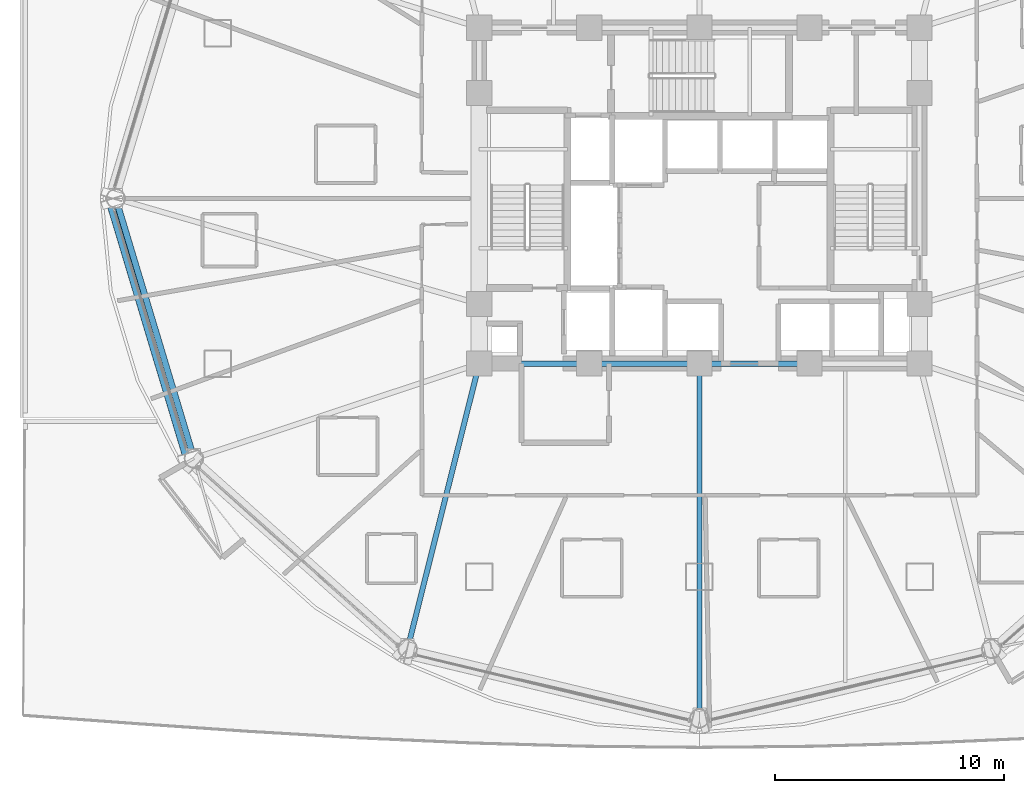
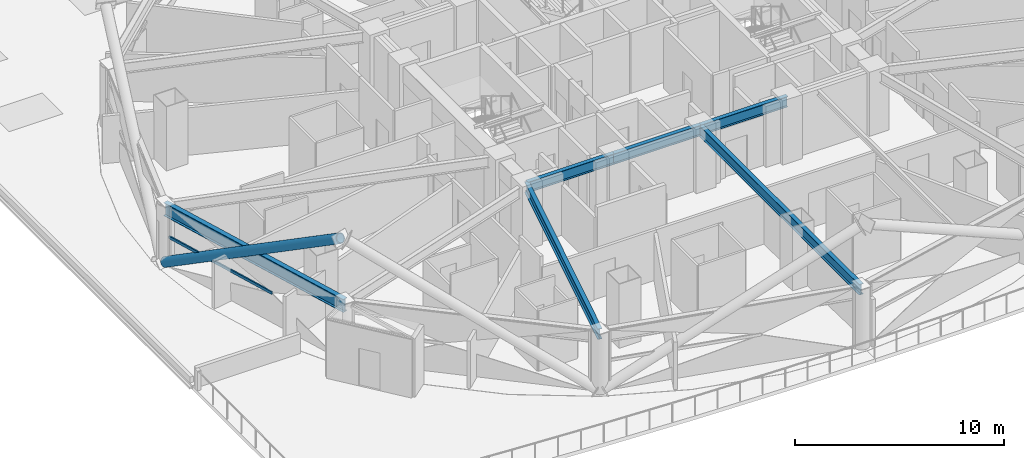
# One storey, part 4 of 27: 6 beams, 2 members, 1 element without a shape of its own.
"""IFC4 building model written with IfcOpenShell, lengths in metres."""

import ifcopenshell
import ifcopenshell.guid

model = None  # the IFC model being written
_history = None  # IfcOwnerHistory: only IFC2X3 demands one
_inside = {}  # id of a spatial element -> (the spatial element, [elements in it])
_under = {}  # id of a project, library or spatial element -> (it, [spatial elements below it])
_declared = {}  # id of a project -> (the project, [libraries it declares])
_typed = {}  # id of a type object -> (the type object, [elements of that type])
_made_of = {}  # id of a material, layer set ... -> (it, [elements and type objects made of it])


def new_model(schema):
    """Start an empty IFC model of exactly this schema.

    Asked for "IFC4X3", IfcOpenShell would pick the latest addendum, in which some entities
    have other attributes; the version numbers below select the first issue.
    IFC2X3 requires an IfcOwnerHistory on every rooted entity: one is made here for all.
    """
    global model, _history
    if schema == "IFC4X3":
        model = ifcopenshell.file(schema_version=(4, 3, 0, 0))
    else:
        model = ifcopenshell.file(schema=schema)
    _inside.clear()
    _under.clear()
    _declared.clear()
    _typed.clear()
    _made_of.clear()
    _history = None
    if model.schema == "IFC2X3":
        org = make("IfcOrganization", Name="unknown")
        user = make(
            "IfcPersonAndOrganization",
            ThePerson=make("IfcPerson", FamilyName="unknown"),
            TheOrganization=org,
        )
        app = make(
            "IfcApplication",
            ApplicationDeveloper=org,
            Version="unknown",
            ApplicationFullName="unknown",
            ApplicationIdentifier="unknown",
        )
        _history = make(
            "IfcOwnerHistory",
            OwningUser=user,
            OwningApplication=app,
            ChangeAction="ADDED",
            CreationDate=0,
        )
    return model


def make(cls, **values):
    """One entity of the class cls with the attributes given. An attribute that is None is left unset."""
    return model.create_entity(
        cls, **{name: value for name, value in values.items() if value is not None}
    )


def rooted(cls, **values):
    """An entity with a GlobalId (a new one), such as an element, a storey or a relation."""
    return make(cls, GlobalId=ifcopenshell.guid.new(), OwnerHistory=_history, **values)


def si_unit(unit_type, name, prefix=None):
    """IfcSIUnit, for example si_unit("LENGTHUNIT", "METRE", prefix="MILLI")."""
    return make("IfcSIUnit", UnitType=unit_type, Prefix=prefix, Name=name)


def assignment(units):
    """IfcUnitAssignment: the units of a project."""
    return None if units is None else make("IfcUnitAssignment", Units=units)


def point(xyz):
    """IfcCartesianPoint."""
    return None if xyz is None else make("IfcCartesianPoint", Coordinates=xyz)


def direction(xyz):
    """IfcDirection."""
    return None if xyz is None else make("IfcDirection", DirectionRatios=xyz)


def frame(location, z_axis=None, x_axis=None):
    """IfcAxis2Placement3D, a coordinate frame: its origin and axes. An axis left out is left unset."""
    return make(
        "IfcAxis2Placement3D",
        Location=point(location),
        Axis=direction(z_axis),
        RefDirection=direction(x_axis),
    )


def frame_2d(location, x_axis=None):
    """IfcAxis2Placement2D, a coordinate frame in the plane: its origin and x axis."""
    return make(
        "IfcAxis2Placement2D", Location=point(location), RefDirection=direction(x_axis)
    )


def origin():
    """The frame at (0, 0, 0) with its axes left unset."""
    return frame((0.0, 0.0, 0.0))


def origin_2d():
    """The frame at (0, 0) in the plane with its x axis left unset."""
    return frame_2d((0.0, 0.0))


def place(relative_to, where):
    """IfcLocalPlacement: puts the frame where relative to a parent placement (None: the world)."""
    return make(
        "IfcLocalPlacement", PlacementRelTo=relative_to, RelativePlacement=where
    )


def context(
    kind, dimensions, precision=None, world=None, true_north=None, identifier=None
):
    """IfcGeometricRepresentationContext, for example the 3D "Model" context."""
    return make(
        "IfcGeometricRepresentationContext",
        ContextIdentifier=identifier,
        ContextType=kind,
        CoordinateSpaceDimension=dimensions,
        Precision=precision,
        WorldCoordinateSystem=world,
        TrueNorth=true_north,
    )


def subcontext(parent, identifier, kind, view, scale=None):
    """IfcGeometricRepresentationSubContext, for example "Body" below "Model"."""
    return make(
        "IfcGeometricRepresentationSubContext",
        ContextIdentifier=identifier,
        ContextType=kind,
        ParentContext=parent,
        TargetScale=scale,
        TargetView=view,
    )


def project(units=None, contexts=None):
    """IfcProject with its units and contexts."""
    return rooted(
        "IfcProject",
        Name="project",
        RepresentationContexts=contexts,
        UnitsInContext=assignment(units),
    )


def spatial(cls, under=None, at=None, **own):
    """A site, building, storey or space (cls), placed at a placement, below another one or the project."""
    s = rooted(cls, ObjectPlacement=at, **own)
    if under is not None:
        _under.setdefault(under.id(), (under, []))[1].append(s)
    return s


def profile(cls, at=None, kind="AREA", **sizes):
    """A parametric profile (cls). Its sizes go by their IFC names, for example OverallWidth=200.0."""
    return make(cls, ProfileType=kind, Position=at, **sizes)


def hollow_rectangle(**sizes):
    """IfcRectangleHollowProfileDef."""
    return profile("IfcRectangleHollowProfileDef", **sizes)


def hollow_circle(**sizes):
    """IfcCircleHollowProfileDef."""
    return profile("IfcCircleHollowProfileDef", **sizes)


def i_section(**sizes):
    """IfcIShapeProfileDef."""
    return profile("IfcIShapeProfileDef", **sizes)


def extrude(swept, where, along, depth):
    """IfcExtrudedAreaSolid: the profile swept, set in the frame where, extruded along a direction by depth."""
    return make(
        "IfcExtrudedAreaSolid",
        SweptArea=swept,
        Position=where,
        ExtrudedDirection=direction(along),
        Depth=depth,
    )


def shape(context_of_items, identifier, shape_type, items):
    """IfcShapeRepresentation: the items that make up one representation, for example the "Body"."""
    return make(
        "IfcShapeRepresentation",
        ContextOfItems=context_of_items,
        RepresentationIdentifier=identifier,
        RepresentationType=shape_type,
        Items=items,
    )


def material(Name=None, Category=None):
    """IfcMaterial."""
    return make("IfcMaterial", Name=Name, Category=Category)


def layer(
    of_material, thickness, ventilated=None, Name=None, Category=None, Priority=None
):
    """IfcMaterialLayer: one layer of a wall or slab, of a material (None: an air gap)."""
    return make(
        "IfcMaterialLayer",
        Material=of_material,
        LayerThickness=thickness,
        IsVentilated=ventilated,
        Name=Name,
        Category=Category,
        Priority=Priority,
    )


def layer_set(layers, Name=None):
    """IfcMaterialLayerSet."""
    return make("IfcMaterialLayerSet", MaterialLayers=layers, LayerSetName=Name)


def material_profile(
    of_material, cross_section, Name=None, Category=None, Priority=None
):
    """IfcMaterialProfile: a cross section and its material."""
    return make(
        "IfcMaterialProfile",
        Name=Name,
        Material=of_material,
        Profile=cross_section,
        Priority=Priority,
        Category=Category,
    )


def profile_set(profiles, Name=None, composite=None):
    """IfcMaterialProfileSet."""
    return make(
        "IfcMaterialProfileSet",
        Name=Name,
        MaterialProfiles=profiles,
        CompositeProfile=composite,
    )


def made_of(thing, what):
    """Note that an element or type object is made of a material, layer set ...; save() writes the relation."""
    if what is not None:
        _made_of.setdefault(what.id(), (what, []))[1].append(thing)
    return thing


def type_object(cls, material=None, **own):
    """A type object (cls), such as IfcWallType, which elements share."""
    return made_of(rooted(cls, **own), material)


def element(
    cls,
    number,
    at=None,
    inside=None,
    cuts=None,
    type_object=None,
    material=None,
    context=None,
    identifier="Body",
    shape_type=None,
    held_by="IfcProductDefinitionShape",
    body=None,
    shapes=None,
    **own,
):
    """One element of the class cls, such as IfcWall. Its Tag is "e" and its number.

    at: its placement. inside: the storey or other place that contains it. cuts: it is an
    opening in that element (IfcRelVoidsElement). A single representation is given by context,
    identifier, shape_type and body (its items); several are given by shapes. held_by: the class
    of the entity that holds the representations. save() writes the other relations.
    """
    e = rooted(cls, Tag="e%d" % number, ObjectPlacement=at, **own)
    if body is not None:
        shapes = [shape(context, identifier, shape_type, body)]
    if shapes is not None:
        e.Representation = make(held_by, Representations=shapes)
    if inside is not None:
        _inside.setdefault(inside.id(), (inside, []))[1].append(e)
    if cuts is not None:
        rooted(
            "IfcRelVoidsElement", RelatingBuildingElement=cuts, RelatedOpeningElement=e
        )
    if type_object is not None:
        _typed.setdefault(type_object.id(), (type_object, []))[1].append(e)
    return made_of(e, material)


def aggregate(whole, parts):
    """IfcRelAggregates: a whole, such as a stair, and the parts it consists of."""
    return rooted("IfcRelAggregates", RelatingObject=whole, RelatedObjects=parts)


def save(model, path):
    """Write the relations noted so far, then the file.

    IfcRelAggregates (storeys below a building ...), IfcRelContainedInSpatialStructure (elements
    in a storey), IfcRelDefinesByType, IfcRelAssociatesMaterial and IfcRelDeclares: one each for
    every whole, place, type object, material and project.
    """
    for whole, parts in _under.values():
        aggregate(whole, parts)
    for where, things in _inside.values():
        rooted(
            "IfcRelContainedInSpatialStructure",
            RelatedElements=things,
            RelatingStructure=where,
        )
    for kind, things in _typed.values():
        rooted("IfcRelDefinesByType", RelatedObjects=things, RelatingType=kind)
    for what, things in _made_of.values():
        rooted("IfcRelAssociatesMaterial", RelatedObjects=things, RelatingMaterial=what)
    for by, libraries in _declared.values():
        rooted("IfcRelDeclares", RelatingContext=by, RelatedDefinitions=libraries)
    model.write(path)


model = new_model("IFC4")

# Units and contexts
model_context = context("Model", 3, precision=1e-05, world=origin(), true_north=direction((0.0, 1.0)))
body_context = subcontext(model_context, "Body", "Model", "MODEL_VIEW")
ifc_project = project(units=[si_unit("LENGTHUNIT", "METRE"), si_unit("AREAUNIT", "SQUARE_METRE"), si_unit("VOLUMEUNIT", "CUBIC_METRE"), si_unit("PLANEANGLEUNIT", "RADIAN"), si_unit("MASSUNIT", "GRAM", prefix="KILO")], contexts=[model_context])

# Site, building, storey
site_placement = place(None, origin())
site = spatial("IfcSite", under=ifc_project, at=site_placement, CompositionType="ELEMENT")
building_placement = place(site_placement, origin())
building = spatial("IfcBuilding", under=site, at=building_placement, Name="Vantalir Tower", CompositionType="ELEMENT")
storey_placement = place(building_placement, frame((0.0, 0.0, 27.0)))
storey = spatial("IfcBuildingStorey", under=building, at=storey_placement, Name="L05", CompositionType="ELEMENT", Elevation=27.0)

# Beams
ifc_material_1 = material(Name="Steel S355", Category="steel")
ifc_material_profile_1 = material_profile(ifc_material_1, i_section(OverallWidth=0.22998046875, OverallDepth=0.616943359375, WebThickness=0.01318359375, FlangeThickness=0.022216796875, at=origin_2d()), Name="Steel S355")
ifc_profile_set_1 = profile_set([ifc_material_profile_1], Name="Steel S355")
beam_type_1 = type_object("IfcBeamType", Name="BM-RB-610x229", PredefinedType="BEAM", material=ifc_profile_set_1)
for number, where, z_axis, x_axis, name in (
    (1, (21.89990234375, 17.800048828125, 3.261962890625), (1.0, 0.0, 0.0), (0.0, 1.0, 0.0), "L05 Core Coupling Girder 01"),
    (2, (26.699951171875, 17.800048828125, 3.261962890625), (1.0, 0.0, 0.0), (0.0, 1.0, 0.0), "L05 Core Coupling Girder 02"),
    (3, (31.5, 17.800048828125, 3.261962890625), (1.0, 0.0, 0.0), (0.0, 1.0, 0.0), "L05 Core Coupling Girder 03"),
):
    element("IfcBeam", number, at=place(storey_placement, frame(where, z_axis=z_axis, x_axis=x_axis)), inside=storey, type_object=beam_type_1, Name=name, PredefinedType="BEAM", context=body_context, shape_type="SweptSolid", body=[
        extrude(i_section(OverallWidth=0.22998046875, OverallDepth=0.616943359375, WebThickness=0.01318359375, FlangeThickness=0.022216796875, at=origin_2d()), origin(), (0.0, 0.0, 1.0), 4.800048828125),
    ])
beam_1_placement = place(storey_placement, frame((18.77490234375, 5.3720703125, 3.261962890625), z_axis=(0.24385779031, 0.969811001229, 0.0), x_axis=(-0.969811001229, 0.24385779031, 0.0)))
element("IfcBeam", 4, at=beam_1_placement, inside=storey, type_object=beam_type_1, Name="L05 Radial Floor Beam 09", PredefinedType="BEAM", context=body_context, shape_type="SweptSolid", body=[
    extrude(i_section(OverallWidth=0.22998046875, OverallDepth=0.616943359375, WebThickness=0.01318359375, FlangeThickness=0.022216796875, at=origin_2d()), origin(), (0.0, 0.0, 1.0), 12.81494140625),
])
beam_2_placement = place(storey_placement, frame((31.5, 2.3359375, 3.261962890625), z_axis=(0.0, 1.0, 0.0), x_axis=(-1.0, 0.0, 0.0)))
element("IfcBeam", 5, at=beam_2_placement, inside=storey, type_object=beam_type_1, Name="L05 Radial Floor Beam 10", PredefinedType="BEAM", context=body_context, shape_type="SweptSolid", body=[
    extrude(i_section(OverallWidth=0.22998046875, OverallDepth=0.616943359375, WebThickness=0.01318359375, FlangeThickness=0.022216796875, at=origin_2d()), origin(), (0.0, 0.0, 1.0), 15.464111328125),
])
ifc_material_2 = material(Name="Steel S460", Category="steel")
ifc_material_profile_2 = material_profile(ifc_material_2, i_section(OverallWidth=0.26806640625, OverallDepth=0.77001953125, WebThickness=0.015625, FlangeThickness=0.025390625, at=origin_2d()), Name="Steel S460")
ifc_profile_set_2 = profile_set([ifc_material_profile_2], Name="Steel S460")
beam_type_2 = type_object("IfcBeamType", Name="BM-RG-762x267", PredefinedType="USERDEFINED", material=ifc_profile_set_2)
beam_3_placement = place(storey_placement, frame((6.050048828125, 25.0, 3.18505859375), z_axis=(0.288146508643, -0.957586335302, 0.0), x_axis=(0.957586335302, 0.288146508643, 0.0)))
element("IfcBeam", 6, at=beam_3_placement, inside=storey, type_object=beam_type_2, Name="L05 Circumferential Ring Girder 07", ObjectType="GIRDER", PredefinedType="USERDEFINED", context=body_context, shape_type="SweptSolid", body=[
    extrude(i_section(OverallWidth=0.26806640625, OverallDepth=0.77001953125, WebThickness=0.015625, FlangeThickness=0.025390625, at=origin_2d()), origin(), (0.0, 0.0, 1.0), 11.833984375),
])

# Curtain wall, member
ifc_material_3 = material(Name="Champagne-silver PVDF aluminium and double-silver Low-E glass", Category="aluminium")
ifc_layer = layer(ifc_material_3, 0.18994140625)
ifc_layer_set = layer_set([ifc_layer], Name="Champagne-silver PVDF aluminium and double-silver Low-E glass")
curtain_wall_type = type_object("IfcCurtainWallType", Name="CW-DIAMOND-Z1", PredefinedType="USERDEFINED", material=ifc_layer_set)
curtain_wall_placement = place(storey_placement, origin())
curtain_wall = element("IfcCurtainWall", 7, at=curtain_wall_placement, inside=storey, type_object=curtain_wall_type, Name="L05 Quilted Pyramid-Diamond Curtain Wall S07", ObjectType="UNITISED CURTAIN WALL", PredefinedType="USERDEFINED")
ifc_material_4 = material(Name="Champagne-silver PVDF aluminium 6063-T6", Category="aluminium")
ifc_material_profile_3 = material_profile(ifc_material_4, hollow_rectangle(XDim=0.074951171875, YDim=0.159912109375, WallThickness=0.00390625, at=origin_2d()), Name="Champagne-silver PVDF aluminium 6063-T6")
ifc_profile_set_3 = profile_set([ifc_material_profile_3], Name="Champagne-silver PVDF aluminium 6063-T6")
member_type_1 = type_object("IfcMemberType", Name="CWT-160x75", PredefinedType="USERDEFINED", material=ifc_profile_set_3)
member_1_placement = place(storey_placement, frame((5.9951171875, 24.550048828125, 1.784912109375), z_axis=(0.2844907833, -0.958678775303, 0.0), x_axis=(0.958678775303, 0.2844907833, 0.0)))
member_1 = element("IfcMember", 8, at=member_1_placement, type_object=member_type_1, Name="CW-L05-S07 Pyramid Fold Ridge Transom", ObjectType="TRANSOM", PredefinedType="USERDEFINED", context=body_context, shape_type="SweptSolid", body=[
    extrude(hollow_rectangle(XDim=0.074951171875, YDim=0.159912109375, WallThickness=0.00390625, at=origin_2d()), origin(), (0.0, 0.0, 1.0), 6.815673828125),
])
aggregate(curtain_wall, [member_1])

# Member
ifc_material_profile_4 = material_profile(ifc_material_2, hollow_circle(Radius=0.27001953125, WallThickness=0.044921875, at=origin_2d()), Name="Steel S460")
ifc_profile_set_4 = profile_set([ifc_material_profile_4], Name="Steel S460")
member_type_2 = type_object("IfcMemberType", Name="MEM-DB-540x45", PredefinedType="BRACE", material=ifc_profile_set_4)
member_2_placement = place(storey_placement, frame((5.9140625, 24.819091796875, 0.193115234375), z_axis=(0.246888376659, -0.821143457496, 0.514557627173), x_axis=(0.957651062423, 0.287931315836, 0.0)))
element("IfcMember", 9, at=member_2_placement, inside=storey, type_object=member_type_2, Name="L05 Perimeter S460 Diagrid Brace R19L", PredefinedType="BRACE", context=body_context, shape_type="SweptSolid", body=[
    extrude(hollow_circle(Radius=0.27001953125, WallThickness=0.044921875, at=origin_2d()), origin(), (0.0, 0.0, 1.0), 13.475341796875),
])

save(model, "model.ifc")
